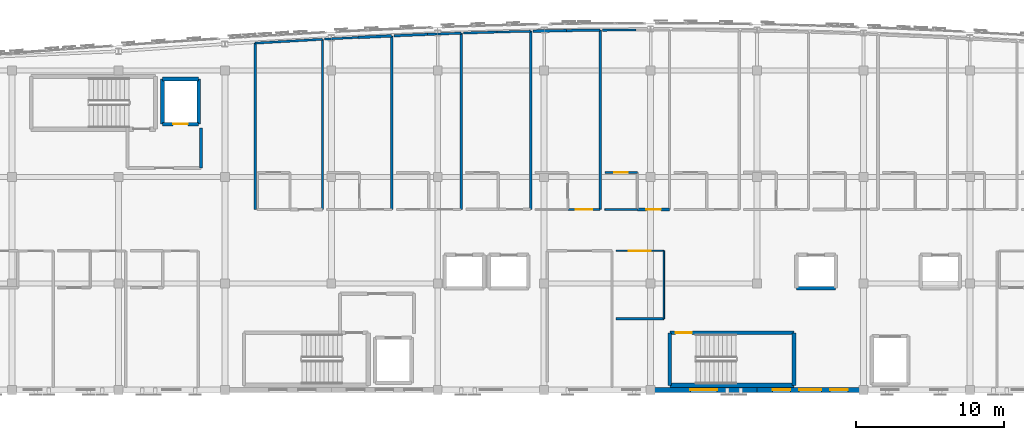
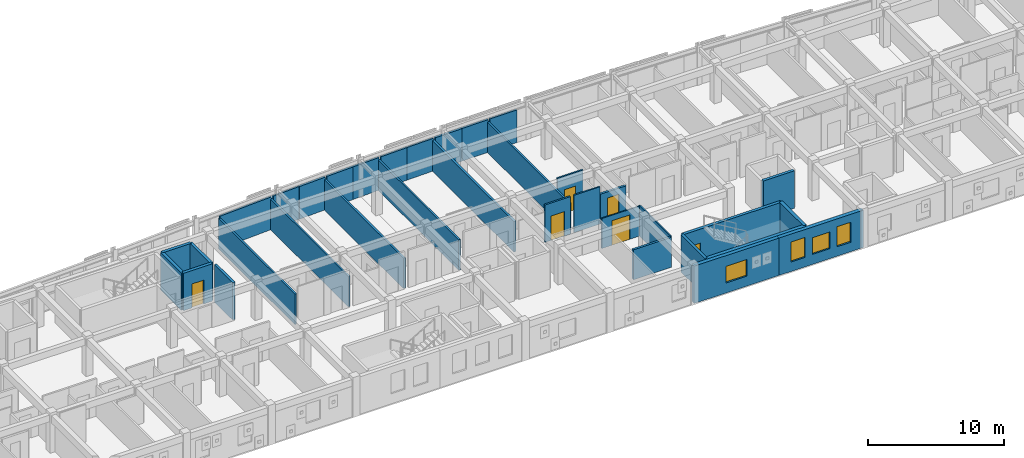
# One storey, part 37 of 45: 35 walls, 6 doors, 4 windows, 10 openings.
"""IFC4 building model written with IfcOpenShell, lengths in metres."""

import ifcopenshell
import ifcopenshell.guid

model = None  # the IFC model being written
_history = None  # IfcOwnerHistory: only IFC2X3 demands one
_inside = {}  # id of a spatial element -> (the spatial element, [elements in it])
_under = {}  # id of a project, library or spatial element -> (it, [spatial elements below it])
_declared = {}  # id of a project -> (the project, [libraries it declares])
_typed = {}  # id of a type object -> (the type object, [elements of that type])
_made_of = {}  # id of a material, layer set ... -> (it, [elements and type objects made of it])


def new_model(schema):
    """Start an empty IFC model of exactly this schema.

    Asked for "IFC4X3", IfcOpenShell would pick the latest addendum, in which some entities
    have other attributes; the version numbers below select the first issue.
    IFC2X3 requires an IfcOwnerHistory on every rooted entity: one is made here for all.
    """
    global model, _history
    if schema == "IFC4X3":
        model = ifcopenshell.file(schema_version=(4, 3, 0, 0))
    else:
        model = ifcopenshell.file(schema=schema)
    _inside.clear()
    _under.clear()
    _declared.clear()
    _typed.clear()
    _made_of.clear()
    _history = None
    if model.schema == "IFC2X3":
        org = make("IfcOrganization", Name="unknown")
        user = make(
            "IfcPersonAndOrganization",
            ThePerson=make("IfcPerson", FamilyName="unknown"),
            TheOrganization=org,
        )
        app = make(
            "IfcApplication",
            ApplicationDeveloper=org,
            Version="unknown",
            ApplicationFullName="unknown",
            ApplicationIdentifier="unknown",
        )
        _history = make(
            "IfcOwnerHistory",
            OwningUser=user,
            OwningApplication=app,
            ChangeAction="ADDED",
            CreationDate=0,
        )
    return model


def make(cls, **values):
    """One entity of the class cls with the attributes given. An attribute that is None is left unset."""
    return model.create_entity(
        cls, **{name: value for name, value in values.items() if value is not None}
    )


def rooted(cls, **values):
    """An entity with a GlobalId (a new one), such as an element, a storey or a relation."""
    return make(cls, GlobalId=ifcopenshell.guid.new(), OwnerHistory=_history, **values)


def si_unit(unit_type, name, prefix=None):
    """IfcSIUnit, for example si_unit("LENGTHUNIT", "METRE", prefix="MILLI")."""
    return make("IfcSIUnit", UnitType=unit_type, Prefix=prefix, Name=name)


def assignment(units):
    """IfcUnitAssignment: the units of a project."""
    return None if units is None else make("IfcUnitAssignment", Units=units)


def point(xyz):
    """IfcCartesianPoint."""
    return None if xyz is None else make("IfcCartesianPoint", Coordinates=xyz)


def direction(xyz):
    """IfcDirection."""
    return None if xyz is None else make("IfcDirection", DirectionRatios=xyz)


def frame(location, z_axis=None, x_axis=None):
    """IfcAxis2Placement3D, a coordinate frame: its origin and axes. An axis left out is left unset."""
    return make(
        "IfcAxis2Placement3D",
        Location=point(location),
        Axis=direction(z_axis),
        RefDirection=direction(x_axis),
    )


def frame_2d(location, x_axis=None):
    """IfcAxis2Placement2D, a coordinate frame in the plane: its origin and x axis."""
    return make(
        "IfcAxis2Placement2D", Location=point(location), RefDirection=direction(x_axis)
    )


def origin():
    """The frame at (0, 0, 0) with its axes left unset."""
    return frame((0.0, 0.0, 0.0))


def place(relative_to, where):
    """IfcLocalPlacement: puts the frame where relative to a parent placement (None: the world)."""
    return make(
        "IfcLocalPlacement", PlacementRelTo=relative_to, RelativePlacement=where
    )


def context(
    kind, dimensions, precision=None, world=None, true_north=None, identifier=None
):
    """IfcGeometricRepresentationContext, for example the 3D "Model" context."""
    return make(
        "IfcGeometricRepresentationContext",
        ContextIdentifier=identifier,
        ContextType=kind,
        CoordinateSpaceDimension=dimensions,
        Precision=precision,
        WorldCoordinateSystem=world,
        TrueNorth=true_north,
    )


def subcontext(parent, identifier, kind, view, scale=None):
    """IfcGeometricRepresentationSubContext, for example "Body" below "Model"."""
    return make(
        "IfcGeometricRepresentationSubContext",
        ContextIdentifier=identifier,
        ContextType=kind,
        ParentContext=parent,
        TargetScale=scale,
        TargetView=view,
    )


def project(units=None, contexts=None):
    """IfcProject with its units and contexts."""
    return rooted(
        "IfcProject",
        Name="project",
        RepresentationContexts=contexts,
        UnitsInContext=assignment(units),
    )


def spatial(cls, under=None, at=None, **own):
    """A site, building, storey or space (cls), placed at a placement, below another one or the project."""
    s = rooted(cls, ObjectPlacement=at, **own)
    if under is not None:
        _under.setdefault(under.id(), (under, []))[1].append(s)
    return s


def profile(cls, at=None, kind="AREA", **sizes):
    """A parametric profile (cls). Its sizes go by their IFC names, for example OverallWidth=200.0."""
    return make(cls, ProfileType=kind, Position=at, **sizes)


def rectangle(**sizes):
    """IfcRectangleProfileDef."""
    return profile("IfcRectangleProfileDef", **sizes)


def extrude(swept, where, along, depth):
    """IfcExtrudedAreaSolid: the profile swept, set in the frame where, extruded along a direction by depth."""
    return make(
        "IfcExtrudedAreaSolid",
        SweptArea=swept,
        Position=where,
        ExtrudedDirection=direction(along),
        Depth=depth,
    )


def shape(context_of_items, identifier, shape_type, items):
    """IfcShapeRepresentation: the items that make up one representation, for example the "Body"."""
    return make(
        "IfcShapeRepresentation",
        ContextOfItems=context_of_items,
        RepresentationIdentifier=identifier,
        RepresentationType=shape_type,
        Items=items,
    )


def material(Name=None, Category=None):
    """IfcMaterial."""
    return make("IfcMaterial", Name=Name, Category=Category)


def layer(
    of_material, thickness, ventilated=None, Name=None, Category=None, Priority=None
):
    """IfcMaterialLayer: one layer of a wall or slab, of a material (None: an air gap)."""
    return make(
        "IfcMaterialLayer",
        Material=of_material,
        LayerThickness=thickness,
        IsVentilated=ventilated,
        Name=Name,
        Category=Category,
        Priority=Priority,
    )


def layer_set(layers, Name=None):
    """IfcMaterialLayerSet."""
    return make("IfcMaterialLayerSet", MaterialLayers=layers, LayerSetName=Name)


def made_of(thing, what):
    """Note that an element or type object is made of a material, layer set ...; save() writes the relation."""
    if what is not None:
        _made_of.setdefault(what.id(), (what, []))[1].append(thing)
    return thing


def type_object(cls, material=None, **own):
    """A type object (cls), such as IfcWallType, which elements share."""
    return made_of(rooted(cls, **own), material)


def element(
    cls,
    number,
    at=None,
    inside=None,
    cuts=None,
    type_object=None,
    material=None,
    context=None,
    identifier="Body",
    shape_type=None,
    held_by="IfcProductDefinitionShape",
    body=None,
    shapes=None,
    **own,
):
    """One element of the class cls, such as IfcWall. Its Tag is "e" and its number.

    at: its placement. inside: the storey or other place that contains it. cuts: it is an
    opening in that element (IfcRelVoidsElement). A single representation is given by context,
    identifier, shape_type and body (its items); several are given by shapes. held_by: the class
    of the entity that holds the representations. save() writes the other relations.
    """
    e = rooted(cls, Tag="e%d" % number, ObjectPlacement=at, **own)
    if body is not None:
        shapes = [shape(context, identifier, shape_type, body)]
    if shapes is not None:
        e.Representation = make(held_by, Representations=shapes)
    if inside is not None:
        _inside.setdefault(inside.id(), (inside, []))[1].append(e)
    if cuts is not None:
        rooted(
            "IfcRelVoidsElement", RelatingBuildingElement=cuts, RelatedOpeningElement=e
        )
    if type_object is not None:
        _typed.setdefault(type_object.id(), (type_object, []))[1].append(e)
    return made_of(e, material)


def fill(opening, filler):
    """IfcRelFillsElement: the door or window that sits in an opening."""
    return rooted(
        "IfcRelFillsElement",
        RelatingOpeningElement=opening,
        RelatedBuildingElement=filler,
    )


def aggregate(whole, parts):
    """IfcRelAggregates: a whole, such as a stair, and the parts it consists of."""
    return rooted("IfcRelAggregates", RelatingObject=whole, RelatedObjects=parts)


def save(model, path):
    """Write the relations noted so far, then the file.

    IfcRelAggregates (storeys below a building ...), IfcRelContainedInSpatialStructure (elements
    in a storey), IfcRelDefinesByType, IfcRelAssociatesMaterial and IfcRelDeclares: one each for
    every whole, place, type object, material and project.
    """
    for whole, parts in _under.values():
        aggregate(whole, parts)
    for where, things in _inside.values():
        rooted(
            "IfcRelContainedInSpatialStructure",
            RelatedElements=things,
            RelatingStructure=where,
        )
    for kind, things in _typed.values():
        rooted("IfcRelDefinesByType", RelatedObjects=things, RelatingType=kind)
    for what, things in _made_of.values():
        rooted("IfcRelAssociatesMaterial", RelatedObjects=things, RelatingMaterial=what)
    for by, libraries in _declared.values():
        rooted("IfcRelDeclares", RelatingContext=by, RelatedDefinitions=libraries)
    model.write(path)


model = new_model("IFC4")

# Units and contexts
model_context = context("Model", 3, precision=1e-05, world=origin(), true_north=direction((0.0, 1.0)))
body_context = subcontext(model_context, "Body", "Model", "MODEL_VIEW")
ifc_project = project(units=[si_unit("LENGTHUNIT", "METRE"), si_unit("AREAUNIT", "SQUARE_METRE"), si_unit("VOLUMEUNIT", "CUBIC_METRE"), si_unit("PLANEANGLEUNIT", "RADIAN"), si_unit("MASSUNIT", "GRAM", prefix="KILO")], contexts=[model_context])

# Site, building, storey
site_placement = place(None, origin())
site = spatial("IfcSite", under=ifc_project, at=site_placement, CompositionType="ELEMENT")
building_placement = place(site_placement, origin())
building = spatial("IfcBuilding", under=site, at=building_placement, Name="Carrowvane Square Congress Hotel", CompositionType="ELEMENT")
storey_placement = place(building_placement, frame((0.0, 0.0, 33.60009765625)))
storey = spatial("IfcBuildingStorey", under=building, at=storey_placement, Name="L08", CompositionType="ELEMENT", Elevation=33.60009765625)

# Wall, openings, windows
ifc_material_1 = material(Name="Glazed terracotta rainscreen", Category="masonry")
ifc_layer_1 = layer(ifc_material_1, 0.330078125)
ifc_layer_set_1 = layer_set([ifc_layer_1], Name="Glazed terracotta rainscreen")
wall_type_1 = type_object("IfcWallType", Name="WL-EXT-TC330", PredefinedType="STANDARD", material=ifc_layer_set_1)
wall_1_placement = place(storey_placement, frame((112.39990234375, 91.800048828125, 0.0), z_axis=(0.0, 0.0, 1.0), x_axis=(-1.0, 0.0, 0.0)))
wall_1 = element("IfcWall", 1, at=wall_1_placement, inside=storey, type_object=wall_type_1, Name="L08 exterior facade wall 546", PredefinedType="STANDARD", context=body_context, shape_type="SweptSolid", body=[
    extrude(rectangle(XDim=7.199951171875, YDim=0.330078125, at=frame_2d((3.60009765625, 0.0))), origin(), (0.0, 0.0, 1.0), 3.35986328125),
])
opening_1_placement = place(wall_1_placement, frame((2.85009765625, 0.0, 0.89990234375)))
opening_1 = element("IfcOpeningElement", 2, at=opening_1_placement, cuts=wall_1, Name="Opening W-15", PredefinedType="OPENING", context=body_context, shape_type="SweptSolid", body=[
    extrude(rectangle(XDim=1.5, YDim=1.5, at=frame_2d((0.75, 0.75))), frame((0.0, 0.175048828125, 0.0), z_axis=(0.0, -1.0, 0.0), x_axis=(1.0, 0.0, 0.0)), (0.0, 0.0, 1.0), 0.35009765625),
])
opening_2_placement = place(wall_1_placement, frame((1.050048828125, 0.0, 0.85009765625)))
opening_2 = element("IfcOpeningElement", 3, at=opening_2_placement, cuts=wall_1, Name="Opening W-01", PredefinedType="OPENING", context=body_context, shape_type="SweptSolid", body=[
    extrude(rectangle(XDim=1.199951171875, YDim=1.800048828125, at=frame_2d((0.60009765625, 0.89990234375))), frame((0.0, 0.175048828125, 0.0), z_axis=(0.0, -1.0, 0.0), x_axis=(1.0, 0.0, 0.0)), (0.0, 0.0, 1.0), 0.35009765625),
])
opening_3_placement = place(wall_1_placement, frame((4.949951171875, 0.0, 0.85009765625)))
opening_3 = element("IfcOpeningElement", 4, at=opening_3_placement, cuts=wall_1, Name="Opening W-01", PredefinedType="OPENING", context=body_context, shape_type="SweptSolid", body=[
    extrude(rectangle(XDim=1.199951171875, YDim=1.800048828125, at=frame_2d((0.60009765625, 0.89990234375))), frame((0.0, 0.175048828125, 0.0), z_axis=(0.0, -1.0, 0.0), x_axis=(1.0, 0.0, 0.0)), (0.0, 0.0, 1.0), 0.35009765625),
])
ifc_material_2 = material(Name="Double-glazed low-E glass", Category="glass")
window_type_1 = type_object("IfcWindowType", Name="WIN-01", PartitioningType="SINGLE_PANEL", PredefinedType="WINDOW", material=ifc_material_2)
window_1_placement = place(opening_2_placement, origin())
window_1 = element("IfcWindow", 5, at=window_1_placement, inside=storey, type_object=window_type_1, Name="L08 guest bedroom window 388", OverallHeight=1.800048828125, OverallWidth=1.199951171875, PartitioningType="SINGLE_PANEL", PredefinedType="WINDOW", context=body_context, shape_type="SweptSolid", body=[
    extrude(rectangle(XDim=1.199951171875, YDim=1.800048828125, at=frame_2d((0.60009765625, 0.89990234375))), frame((0.0, 0.030029296875, 0.0), z_axis=(0.0, -1.0, 0.0), x_axis=(1.0, 0.0, 0.0)), (0.0, 0.0, 1.0), 0.06005859375),
])
fill(opening_2, window_1)
window_2_placement = place(opening_3_placement, origin())
window_2 = element("IfcWindow", 6, at=window_2_placement, inside=storey, type_object=window_type_1, Name="L08 guest bedroom window 389", OverallHeight=1.800048828125, OverallWidth=1.199951171875, PartitioningType="SINGLE_PANEL", PredefinedType="WINDOW", context=body_context, shape_type="SweptSolid", body=[
    extrude(rectangle(XDim=1.199951171875, YDim=1.800048828125, at=frame_2d((0.60009765625, 0.89990234375))), frame((0.0, 0.030029296875, 0.0), z_axis=(0.0, -1.0, 0.0), x_axis=(1.0, 0.0, 0.0)), (0.0, 0.0, 1.0), 0.06005859375),
])
fill(opening_3, window_2)
ifc_material_3 = material(Name="Double-glazed low-E glass", Category="glass")
window_type_2 = type_object("IfcWindowType", Name="WIN-15", PartitioningType="SINGLE_PANEL", PredefinedType="WINDOW", material=ifc_material_3)
window_3_placement = place(opening_1_placement, origin())
window_3 = element("IfcWindow", 7, at=window_3_placement, inside=storey, type_object=window_type_2, Name="L08 facade window 387", OverallHeight=1.5, OverallWidth=1.5, PartitioningType="SINGLE_PANEL", PredefinedType="WINDOW", context=body_context, shape_type="SweptSolid", body=[
    extrude(rectangle(XDim=1.5, YDim=1.5, at=frame_2d((0.75, 0.75))), frame((0.0, 0.030029296875, 0.0), z_axis=(0.0, -1.0, 0.0), x_axis=(1.0, 0.0, 0.0)), (0.0, 0.0, 1.0), 0.06005859375),
])
fill(opening_1, window_3)

# Wall, opening, window
wall_2_placement = place(storey_placement, frame((105.199951171875, 91.800048828125, 0.0), z_axis=(0.0, 0.0, 1.0), x_axis=(-1.0, 0.0, 0.0)))
wall_2 = element("IfcWall", 8, at=wall_2_placement, inside=storey, type_object=wall_type_1, Name="L08 exterior facade wall 547", PredefinedType="STANDARD", context=body_context, shape_type="SweptSolid", body=[
    extrude(rectangle(XDim=7.199951171875, YDim=0.330078125, at=frame_2d((3.60009765625, 0.0))), origin(), (0.0, 0.0, 1.0), 3.35986328125),
])
opening_4_placement = place(wall_2_placement, frame((2.699951171875, 0.0, 0.89990234375)))
opening_4 = element("IfcOpeningElement", 9, at=opening_4_placement, cuts=wall_2, Name="Opening W-16", PredefinedType="OPENING", context=body_context, shape_type="SweptSolid", body=[
    extrude(rectangle(XDim=1.800048828125, YDim=1.5, at=frame_2d((0.89990234375, 0.75))), frame((0.0, 0.175048828125, 0.0), z_axis=(0.0, -1.0, 0.0), x_axis=(1.0, 0.0, 0.0)), (0.0, 0.0, 1.0), 0.35009765625),
])
ifc_material_4 = material(Name="Double-glazed low-E glass", Category="glass")
window_type_3 = type_object("IfcWindowType", Name="WIN-16", PartitioningType="SINGLE_PANEL", PredefinedType="WINDOW", material=ifc_material_4)
window_4_placement = place(opening_4_placement, origin())
window_4 = element("IfcWindow", 10, at=window_4_placement, inside=storey, type_object=window_type_3, Name="L08 facade window 390", OverallHeight=1.5, OverallWidth=1.800048828125, PartitioningType="SINGLE_PANEL", PredefinedType="WINDOW", context=body_context, shape_type="SweptSolid", body=[
    extrude(rectangle(XDim=1.800048828125, YDim=1.5, at=frame_2d((0.89990234375, 0.75))), frame((0.0, 0.030029296875, 0.0), z_axis=(0.0, -1.0, 0.0), x_axis=(1.0, 0.0, 0.0)), (0.0, 0.0, 1.0), 0.06005859375),
])
fill(opening_4, window_4)

# Walls
ifc_material_5 = material(Name="Acoustic gypsum board", Category="gypsum")
ifc_layer_2 = layer(ifc_material_5, 0.155029296875)
ifc_layer_set_2 = layer_set([ifc_layer_2], Name="Acoustic gypsum board")
wall_type_2 = type_object("IfcWallType", Name="WL-FIR-155", PredefinedType="PARTITIONING", material=ifc_layer_set_2)
wall_3_placement = place(storey_placement, frame((71.25, 104.0, 0.0), z_axis=(0.0, 0.0, 1.0), x_axis=(0.0, 1.0, 0.0)))
element("IfcWall", 11, at=wall_3_placement, inside=storey, type_object=wall_type_2, Name="L08 Parkview Guest Bedroom 0811 partition", PredefinedType="PARTITIONING", context=body_context, shape_type="SweptSolid", body=[
    extrude(rectangle(XDim=11.25244140625, YDim=0.155029296875, at=frame_2d((5.626220703125, 0.0))), origin(), (0.0, 0.0, 1.0), 2.744873046875),
])
wall_4_placement = place(storey_placement, frame((82.919921875, 115.8466796875, 0.0), z_axis=(0.0, 0.0, 1.0), x_axis=(0.999343819839, 0.036220570799, 0.0)))
element("IfcWall", 12, at=wall_4_placement, inside=storey, type_object=wall_type_2, Name="L08 Parkview Guest Bedroom 0813 partition", PredefinedType="PARTITIONING", context=body_context, shape_type="SweptSolid", body=[
    extrude(rectangle(XDim=2.271484375, YDim=0.155029296875, at=frame_2d((1.1357421875, 0.0))), origin(), (0.0, 0.0, 1.0), 2.935546875),
])
wall_5_placement = place(storey_placement, frame((94.590087890625, 116.13232421875, 0.0), z_axis=(0.0, 0.0, 1.0), x_axis=(0.0, -1.0, 0.0)))
element("IfcWall", 13, at=wall_5_placement, inside=storey, type_object=wall_type_2, Name="L08 Parkview Guest Bedroom 0815 partition", PredefinedType="PARTITIONING", context=body_context, shape_type="SweptSolid", body=[
    extrude(rectangle(XDim=12.13232421875, YDim=0.155029296875, at=frame_2d((6.066162109375, 0.0))), origin(), (0.0, 0.0, 1.0), 2.744873046875),
])
wall_6_placement = place(storey_placement, frame((94.75, 116.1337890625, 0.0), z_axis=(0.0, 0.0, 1.0), x_axis=(0.999983754538, 0.005700057968, 0.0)))
element("IfcWall", 14, at=wall_6_placement, inside=storey, type_object=wall_type_2, Name="L08 Parkview Guest Bedroom 0816 partition", PredefinedType="PARTITIONING", context=body_context, shape_type="SweptSolid", body=[
    extrude(rectangle(XDim=2.27001953125, YDim=0.155029296875, at=frame_2d((1.135009765625, 0.0))), origin(), (0.0, 0.0, 1.0), 2.935546875),
])
ifc_material_6 = material(Name="Acoustic gypsum board", Category="gypsum")
ifc_layer_3 = layer(ifc_material_6, 0.169921875)
ifc_layer_set_3 = layer_set([ifc_layer_3], Name="Acoustic gypsum board")
wall_type_3 = type_object("IfcWallType", Name="WL-FIR-170", PredefinedType="PARTITIONING", material=ifc_layer_set_3)
wall_7_placement = place(storey_placement, frame((80.489990234375, 115.745361328125, 0.0), z_axis=(0.0, 0.0, 1.0), x_axis=(0.0, -1.0, 0.0)))
element("IfcWall", 15, at=wall_7_placement, inside=storey, type_object=wall_type_3, Name="L08 Parkview Guest Bedroom 0812 partition", PredefinedType="PARTITIONING", context=body_context, shape_type="SweptSolid", body=[
    extrude(rectangle(XDim=11.745361328125, YDim=0.169921875, at=frame_2d((5.87255859375, 0.0))), origin(), (0.0, 0.0, 1.0), 2.744873046875),
])
wall_8_placement = place(storey_placement, frame((80.64990234375, 115.752685546875, 0.0), z_axis=(0.0, 0.0, 1.0), x_axis=(0.999143841124, 0.041371303381, 0.0)))
element("IfcWall", 16, at=wall_8_placement, inside=storey, type_object=wall_type_3, Name="L08 Parkview Guest Bedroom 0813 partition", PredefinedType="PARTITIONING", context=body_context, shape_type="SweptSolid", body=[
    extrude(rectangle(XDim=2.27197265625, YDim=0.169921875, at=frame_2d((1.135986328125, 0.0))), origin(), (0.0, 0.0, 1.0), 2.935546875),
])
wall_9_placement = place(storey_placement, frame((92.320068359375, 116.1044921875, 0.0), z_axis=(0.0, 0.0, 1.0), x_axis=(0.999924846076, 0.012259779786, 0.0)))
element("IfcWall", 17, at=wall_9_placement, inside=storey, type_object=wall_type_3, Name="L08 Parkview Guest Bedroom 0815 partition", PredefinedType="PARTITIONING", context=body_context, shape_type="SweptSolid", body=[
    extrude(rectangle(XDim=2.270263671875, YDim=0.169921875, at=frame_2d((1.13525390625, 0.0))), origin(), (0.0, 0.0, 1.0), 2.935546875),
])
ifc_material_7 = material(Name="Acoustic gypsum board", Category="gypsum")
ifc_layer_4 = layer(ifc_material_7, 0.18505859375)
ifc_layer_set_4 = layer_set([ifc_layer_4], Name="Acoustic gypsum board")
wall_type_4 = type_object("IfcWallType", Name="WL-FIR-185", PredefinedType="PARTITIONING", material=ifc_layer_set_4)
wall_10_placement = place(storey_placement, frame((98.89990234375, 96.60009765625, 0.0), z_axis=(0.0, 0.0, 1.0), x_axis=(-1.0, 0.0, 0.0)))
element("IfcWall", 18, at=wall_10_placement, inside=storey, type_object=wall_type_4, Name="L08 L08 Accessible Guest WC partition", PredefinedType="PARTITIONING", context=body_context, shape_type="SweptSolid", body=[
    extrude(rectangle(XDim=3.25, YDim=0.18505859375, at=frame_2d((1.625, 0.0))), origin(), (0.0, 0.0, 1.0), 2.69482421875),
])
wall_11_placement = place(storey_placement, frame((78.219970703125, 115.63916015625, 0.0), z_axis=(0.0, 0.0, 1.0), x_axis=(0.998907409999, 0.04673313867, 0.0)))
element("IfcWall", 19, at=wall_11_placement, inside=storey, type_object=wall_type_4, Name="L08 Parkview Guest Bedroom 0812 partition", PredefinedType="PARTITIONING", context=body_context, shape_type="SweptSolid", body=[
    extrude(rectangle(XDim=2.2724609375, YDim=0.18505859375, at=frame_2d((1.13623046875, 0.0))), origin(), (0.0, 0.0, 1.0), 2.935546875),
])
wall_12_placement = place(storey_placement, frame((89.889892578125, 116.059326171875, 0.0), z_axis=(0.0, 0.0, 1.0), x_axis=(0.0, -1.0, 0.0)))
element("IfcWall", 20, at=wall_12_placement, inside=storey, type_object=wall_type_4, Name="L08 Parkview Guest Bedroom 0814 partition", PredefinedType="PARTITIONING", context=body_context, shape_type="SweptSolid", body=[
    extrude(rectangle(XDim=12.059326171875, YDim=0.18505859375, at=frame_2d((6.02978515625, 0.0))), origin(), (0.0, 0.0, 1.0), 2.744873046875),
])
wall_13_placement = place(storey_placement, frame((90.050048828125, 116.062744140625, 0.0), z_axis=(0.0, 0.0, 1.0), x_axis=(0.999830927494, 0.018387942418, 0.0)))
element("IfcWall", 21, at=wall_13_placement, inside=storey, type_object=wall_type_4, Name="L08 Parkview Guest Bedroom 0815 partition", PredefinedType="PARTITIONING", context=body_context, shape_type="SweptSolid", body=[
    extrude(rectangle(XDim=2.2705078125, YDim=0.18505859375, at=frame_2d((1.13525390625, 0.0))), origin(), (0.0, 0.0, 1.0), 2.935546875),
])

# Wall, opening, door
wall_14_placement = place(storey_placement, frame((99.2900390625, 104.0, 0.0), z_axis=(0.0, 0.0, 1.0), x_axis=(-1.0, 0.0, 0.0)))
wall_14 = element("IfcWall", 22, at=wall_14_placement, inside=storey, type_object=wall_type_4, Name="L08 Parkview Guest Bedroom 0816 partition", PredefinedType="PARTITIONING", context=body_context, shape_type="SweptSolid", body=[
    extrude(rectangle(XDim=2.179931640625, YDim=0.18505859375, at=frame_2d((1.08984375, 0.0))), origin(), (0.0, 0.0, 1.0), 2.69482421875),
])
opening_5_placement = place(wall_14_placement, frame((0.60009765625, 0.0, 0.0)))
opening_5 = element("IfcOpeningElement", 23, at=opening_5_placement, cuts=wall_14, Name="Opening FD-07", PredefinedType="OPENING", context=body_context, shape_type="SweptSolid", body=[
    extrude(rectangle(XDim=0.97998046875, YDim=2.14990234375, at=frame_2d((0.489990234375, 1.074951171875))), frame((0.0, 0.1025390625, 0.0), z_axis=(0.0, -1.0, 0.0), x_axis=(1.0, 0.0, 0.0)), (0.0, 0.0, 1.0), 0.205078125),
])
ifc_material_8 = material(Name="European oak timber", Category="wood")
door_type_1 = type_object("IfcDoorType", Name="DR-FD30-0980x2150", OperationType="NOTDEFINED", PredefinedType="DOOR", material=ifc_material_8)
door_1_placement = place(opening_5_placement, origin())
door_1 = element("IfcDoor", 24, at=door_1_placement, inside=storey, type_object=door_type_1, Name="L08 Parkview Guest Bedroom 0816 entrance door", OperationType="SINGLE_SWING_RIGHT", OverallHeight=2.14990234375, OverallWidth=0.97998046875, PredefinedType="DOOR", context=body_context, shape_type="SweptSolid", body=[
    extrude(rectangle(XDim=0.97998046875, YDim=2.14990234375, at=frame_2d((0.489990234375, 1.074951171875))), frame((0.0, 0.02490234375, 0.0), z_axis=(0.0, -1.0, 0.0), x_axis=(1.0, 0.0, 0.0)), (0.0, 0.0, 1.0), 0.050048828125),
])
fill(opening_5, door_1)

# Walls
ifc_material_9 = material(Name="Acoustic gypsum board", Category="gypsum")
ifc_layer_5 = layer(ifc_material_9, 0.205078125)
ifc_layer_set_5 = layer_set([ifc_layer_5], Name="Acoustic gypsum board")
wall_type_5 = type_object("IfcWallType", Name="WL-FIR-205", PredefinedType="PARTITIONING", material=ifc_layer_set_5)
wall_15_placement = place(storey_placement, frame((67.60009765625, 106.800048828125, 0.0), z_axis=(0.0, 0.0, 1.0), x_axis=(0.0, 1.0, 0.0)))
element("IfcWall", 25, at=wall_15_placement, inside=storey, type_object=wall_type_5, Name="L08 Firefighting Lobby C1 wall east", PredefinedType="PARTITIONING", context=body_context, shape_type="SweptSolid", body=[
    extrude(rectangle(XDim=2.699951171875, YDim=0.205078125, at=frame_2d((1.35009765625, 0.0))), origin(), (0.0, 0.0, 1.0), 3.35986328125),
])
ifc_material_10 = material(Name="Acoustic gypsum board", Category="gypsum")
ifc_layer_6 = layer(ifc_material_10, 0.097900390625)
ifc_layer_set_6 = layer_set([ifc_layer_6], Name="Acoustic gypsum board")
wall_type_6 = type_object("IfcWallType", Name="WL-PRT-098", PredefinedType="PARTITIONING", material=ifc_layer_set_6)
wall_16_placement = place(storey_placement, frame((98.89990234375, 101.199951171875, 0.0), z_axis=(0.0, 0.0, 1.0), x_axis=(0.0, -1.0, 0.0)))
element("IfcWall", 26, at=wall_16_placement, inside=storey, type_object=wall_type_6, Name="L08 L08 Accessible Guest WC partition", PredefinedType="PARTITIONING", context=body_context, shape_type="SweptSolid", body=[
    extrude(rectangle(XDim=4.599853515625, YDim=0.097900390625, at=frame_2d((2.2998046875, 0.0))), origin(), (0.0, 0.0, 1.0), 2.744873046875),
])

# Wall, opening, door
ifc_material_11 = material(Name="Acoustic gypsum board", Category="gypsum")
ifc_layer_7 = layer(ifc_material_11, 0.10791015625)
ifc_layer_set_7 = layer_set([ifc_layer_7], Name="Acoustic gypsum board")
wall_type_7 = type_object("IfcWallType", Name="WL-PRT-108", PredefinedType="PARTITIONING", material=ifc_layer_set_7)
wall_17_placement = place(storey_placement, frame((95.64990234375, 101.199951171875, 0.0), z_axis=(0.0, 0.0, 1.0), x_axis=(1.0, 0.0, 0.0)))
wall_17 = element("IfcWall", 27, at=wall_17_placement, inside=storey, type_object=wall_type_7, Name="L08 L08 Accessible Guest WC partition", PredefinedType="PARTITIONING", context=body_context, shape_type="SweptSolid", body=[
    extrude(rectangle(XDim=3.25, YDim=0.10791015625, at=frame_2d((1.625, 0.0))), origin(), (0.0, 0.0, 1.0), 2.69482421875),
])
opening_6_placement = place(wall_17_placement, frame((0.875, 0.0, 0.0)))
opening_6 = element("IfcOpeningElement", 28, at=opening_6_placement, cuts=wall_17, Name="Opening ID-11", PredefinedType="OPENING", context=body_context, shape_type="SweptSolid", body=[
    extrude(rectangle(XDim=1.5, YDim=2.199951171875, at=frame_2d((0.75, 1.10009765625))), frame((0.0, 0.06396484375, 0.0), z_axis=(0.0, -1.0, 0.0), x_axis=(1.0, 0.0, 0.0)), (0.0, 0.0, 1.0), 0.1279296875),
])
ifc_material_12 = material(Name="European oak timber", Category="wood")
door_type_2 = type_object("IfcDoorType", Name="DR-INT-1500x2200", OperationType="DOUBLE_DOOR_SINGLE_SWING", PredefinedType="DOOR", material=ifc_material_12)
door_2_placement = place(opening_6_placement, origin())
door_2 = element("IfcDoor", 29, at=door_2_placement, inside=storey, type_object=door_type_2, Name="L08 L08 Accessible Guest WC entrance door", OperationType="DOUBLE_DOOR_SINGLE_SWING", OverallHeight=2.199951171875, OverallWidth=1.5, PredefinedType="DOOR", context=body_context, shape_type="SweptSolid", body=[
    extrude(rectangle(XDim=1.5, YDim=2.199951171875, at=frame_2d((0.75, 1.10009765625))), frame((0.0, 0.02490234375, 0.0), z_axis=(0.0, -1.0, 0.0), x_axis=(1.0, 0.0, 0.0)), (0.0, 0.0, 1.0), 0.050048828125),
])
fill(opening_6, door_2)

# Walls
ifc_material_13 = material(Name="Acoustic gypsum board", Category="gypsum")
ifc_layer_8 = layer(ifc_material_13, 0.117919921875)
ifc_layer_set_8 = layer_set([ifc_layer_8], Name="Acoustic gypsum board")
wall_type_8 = type_object("IfcWallType", Name="WL-PRT-118", PredefinedType="PARTITIONING", material=ifc_layer_set_8)
wall_18_placement = place(storey_placement, frame((97.10009765625, 104.0, 0.0), z_axis=(0.0, 0.0, 1.0), x_axis=(-1.0, 0.0, 0.0)))
element("IfcWall", 30, at=wall_18_placement, inside=storey, type_object=wall_type_8, Name="L08 En-suite Bathroom 0816 partition", PredefinedType="PARTITIONING", context=body_context, shape_type="SweptSolid", body=[
    extrude(rectangle(XDim=2.2001953125, YDim=0.117919921875, at=frame_2d((1.10009765625, 0.0))), origin(), (0.0, 0.0, 1.0), 3.35986328125),
])
ifc_material_14 = material(Name="Acoustic gypsum board", Category="gypsum")
ifc_layer_9 = layer(ifc_material_14, 0.137939453125)
ifc_layer_set_9 = layer_set([ifc_layer_9], Name="Acoustic gypsum board")
wall_type_9 = type_object("IfcWallType", Name="WL-PRT-138", PredefinedType="PARTITIONING", material=ifc_layer_set_9)
wall_19_placement = place(storey_placement, frame((75.7900390625, 115.51416015625, 0.0), z_axis=(0.0, 0.0, 1.0), x_axis=(0.0, -1.0, 0.0)))
element("IfcWall", 31, at=wall_19_placement, inside=storey, type_object=wall_type_9, Name="L08 Parkview Guest Bedroom 0811 partition", PredefinedType="PARTITIONING", context=body_context, shape_type="SweptSolid", body=[
    extrude(rectangle(XDim=11.51416015625, YDim=0.137939453125, at=frame_2d((5.757080078125, 0.0))), origin(), (0.0, 0.0, 1.0), 2.744873046875),
])
wall_20_placement = place(storey_placement, frame((75.949951171875, 115.52294921875, 0.0), z_axis=(0.0, 0.0, 1.0), x_axis=(0.99869216728, 0.051126852186, 0.0)))
element("IfcWall", 32, at=wall_20_placement, inside=storey, type_object=wall_type_9, Name="L08 Parkview Guest Bedroom 0812 partition", PredefinedType="PARTITIONING", context=body_context, shape_type="SweptSolid", body=[
    extrude(rectangle(XDim=2.27294921875, YDim=0.137939453125, at=frame_2d((1.136474609375, 0.0))), origin(), (0.0, 0.0, 1.0), 2.935546875),
])
wall_21_placement = place(storey_placement, frame((87.6201171875, 116.00341796875, 0.0), z_axis=(0.0, 0.0, 1.0), x_axis=(0.999696780071, 0.024624132799, 0.0)))
element("IfcWall", 33, at=wall_21_placement, inside=storey, type_object=wall_type_9, Name="L08 Parkview Guest Bedroom 0814 partition", PredefinedType="PARTITIONING", context=body_context, shape_type="SweptSolid", body=[
    extrude(rectangle(XDim=2.2705078125, YDim=0.137939453125, at=frame_2d((1.13525390625, 0.0))), origin(), (0.0, 0.0, 1.0), 2.935546875),
])

# Wall, opening, door
wall_22_placement = place(storey_placement, frame((94.89990234375, 106.5, 0.0), z_axis=(0.0, 0.0, 1.0), x_axis=(1.0, 0.0, 0.0)))
wall_22 = element("IfcWall", 34, at=wall_22_placement, inside=storey, type_object=wall_type_9, Name="L08 En-suite Bathroom 0816 partition", PredefinedType="PARTITIONING", context=body_context, shape_type="SweptSolid", body=[
    extrude(rectangle(XDim=2.2001953125, YDim=0.137939453125, at=frame_2d((1.10009765625, 0.0))), origin(), (0.0, 0.0, 1.0), 3.35986328125),
])
opening_7_placement = place(wall_22_placement, frame((0.635009765625, 0.0, 0.0)))
opening_7 = element("IfcOpeningElement", 35, at=opening_7_placement, cuts=wall_22, Name="Opening ID-18", PredefinedType="OPENING", context=body_context, shape_type="SweptSolid", body=[
    extrude(rectangle(XDim=0.929931640625, YDim=2.1298828125, at=frame_2d((0.46484375, 1.06494140625))), frame((0.0, 0.078857421875, 0.0), z_axis=(0.0, -1.0, 0.0), x_axis=(1.0, 0.0, 0.0)), (0.0, 0.0, 1.0), 0.157958984375),
])
ifc_material_15 = material(Name="European oak timber", Category="wood")
door_type_3 = type_object("IfcDoorType", Name="DR-INT-0930x2130", OperationType="NOTDEFINED", PredefinedType="DOOR", material=ifc_material_15)
door_3_placement = place(opening_7_placement, origin())
door_3 = element("IfcDoor", 36, at=door_3_placement, inside=storey, type_object=door_type_3, Name="L08 En-suite Bathroom 0816 door", OperationType="SINGLE_SWING_LEFT", OverallHeight=2.1298828125, OverallWidth=0.929931640625, PredefinedType="DOOR", context=body_context, shape_type="SweptSolid", body=[
    extrude(rectangle(XDim=0.929931640625, YDim=2.1298828125, at=frame_2d((0.46484375, 1.06494140625))), frame((0.0, 0.02490234375, 0.0), z_axis=(0.0, -1.0, 0.0), x_axis=(1.0, 0.0, 0.0)), (0.0, 0.0, 1.0), 0.050048828125),
])
fill(opening_7, door_3)

# Walls
ifc_material_16 = material(Name="Acoustic gypsum board", Category="gypsum")
ifc_layer_10 = layer(ifc_material_16, 0.14794921875)
ifc_layer_set_10 = layer_set([ifc_layer_10], Name="Acoustic gypsum board")
wall_type_10 = type_object("IfcWallType", Name="WL-PRT-148", PredefinedType="PARTITIONING", material=ifc_layer_set_10)
wall_23_placement = place(storey_placement, frame((71.25, 115.25244140625, 0.0), z_axis=(0.0, 0.0, 1.0), x_axis=(0.998342552715, 0.057551259223, 0.0)))
element("IfcWall", 37, at=wall_23_placement, inside=storey, type_object=wall_type_10, Name="L08 Parkview Guest Bedroom 0811 partition", PredefinedType="PARTITIONING", context=body_context, shape_type="SweptSolid", body=[
    extrude(rectangle(XDim=4.547607421875, YDim=0.14794921875, at=frame_2d((2.27392578125, 0.0))), origin(), (0.0, 0.0, 1.0), 2.935546875),
])
wall_24_placement = place(storey_placement, frame((85.18994140625, 115.928955078125, 0.0), z_axis=(0.0, 0.0, 1.0), x_axis=(0.0, -1.0, 0.0)))
element("IfcWall", 38, at=wall_24_placement, inside=storey, type_object=wall_type_10, Name="L08 Parkview Guest Bedroom 0813 partition", PredefinedType="PARTITIONING", context=body_context, shape_type="SweptSolid", body=[
    extrude(rectangle(XDim=11.928955078125, YDim=0.14794921875, at=frame_2d((5.96435546875, 0.0))), origin(), (0.0, 0.0, 1.0), 2.744873046875),
])
wall_25_placement = place(storey_placement, frame((85.35009765625, 115.9345703125, 0.0), z_axis=(0.0, 0.0, 1.0), x_axis=(0.999540389811, 0.030315163468, 0.0)))
element("IfcWall", 39, at=wall_25_placement, inside=storey, type_object=wall_type_10, Name="L08 Parkview Guest Bedroom 0814 partition", PredefinedType="PARTITIONING", context=body_context, shape_type="SweptSolid", body=[
    extrude(rectangle(XDim=2.27099609375, YDim=0.14794921875, at=frame_2d((1.135498046875, 0.0))), origin(), (0.0, 0.0, 1.0), 2.935546875),
])

# Wall, opening, door
wall_26_placement = place(storey_placement, frame((94.590087890625, 104.0, 0.0), z_axis=(0.0, 0.0, 1.0), x_axis=(-1.0, 0.0, 0.0)))
wall_26 = element("IfcWall", 40, at=wall_26_placement, inside=storey, type_object=wall_type_10, Name="L08 Parkview Guest Bedroom 0815 partition", PredefinedType="PARTITIONING", context=body_context, shape_type="SweptSolid", body=[
    extrude(rectangle(XDim=2.18017578125, YDim=0.14794921875, at=frame_2d((1.090087890625, 0.0))), origin(), (0.0, 0.0, 1.0), 3.35986328125),
])
opening_8_placement = place(wall_26_placement, frame((0.530029296875, 0.0, 0.0)))
opening_8 = element("IfcOpeningElement", 41, at=opening_8_placement, cuts=wall_26, Name="Opening FD-10", PredefinedType="OPENING", context=body_context, shape_type="SweptSolid", body=[
    extrude(rectangle(XDim=1.1201171875, YDim=2.199951171875, at=frame_2d((0.56005859375, 1.10009765625))), frame((0.0, 0.083984375, 0.0), z_axis=(0.0, -1.0, 0.0), x_axis=(1.0, 0.0, 0.0)), (0.0, 0.0, 1.0), 0.16796875),
])
ifc_material_17 = material(Name="European oak timber", Category="wood")
door_type_4 = type_object("IfcDoorType", Name="DR-FD30-1120x2200", OperationType="NOTDEFINED", PredefinedType="DOOR", material=ifc_material_17)
door_4_placement = place(opening_8_placement, origin())
door_4 = element("IfcDoor", 42, at=door_4_placement, inside=storey, type_object=door_type_4, Name="L08 Parkview Guest Bedroom 0815 entrance door", OperationType="SINGLE_SWING_RIGHT", OverallHeight=2.199951171875, OverallWidth=1.1201171875, PredefinedType="DOOR", context=body_context, shape_type="SweptSolid", body=[
    extrude(rectangle(XDim=1.1201171875, YDim=2.199951171875, at=frame_2d((0.56005859375, 1.10009765625))), frame((0.0, 0.02490234375, 0.0), z_axis=(0.0, -1.0, 0.0), x_axis=(1.0, 0.0, 0.0)), (0.0, 0.0, 1.0), 0.050048828125),
])
fill(opening_8, door_4)

# Wall
ifc_material_18 = material(Name="Concrete C40/50", Category="concrete")
ifc_layer_11 = layer(ifc_material_18, 0.22509765625)
ifc_layer_set_11 = layer_set([ifc_layer_11], Name="Concrete C40/50")
wall_type_11 = type_object("IfcWallType", Name="WL-SHR-225", PredefinedType="SHEAR", material=ifc_layer_set_11)
wall_27_placement = place(storey_placement, frame((99.300048828125, 95.659912109375, 0.0), z_axis=(0.0, 0.0, 1.0), x_axis=(0.0, -1.0, 0.0)))
element("IfcWall", 43, at=wall_27_placement, inside=storey, type_object=wall_type_11, Name="L08 ST3 core wall west", PredefinedType="SHEAR", context=body_context, shape_type="SweptSolid", body=[
    extrude(rectangle(XDim=3.559814453125, YDim=0.22509765625, at=frame_2d((1.77978515625, 0.0))), origin(), (0.0, 0.0, 1.0), 3.35986328125),
])

# Wall, opening, door
ifc_material_19 = material(Name="Concrete C40/50", Category="concrete")
ifc_layer_12 = layer(ifc_material_19, 0.25)
ifc_layer_set_12 = layer_set([ifc_layer_12], Name="Concrete C40/50")
wall_type_12 = type_object("IfcWallType", Name="WL-SHR-250", PredefinedType="SHEAR", material=ifc_layer_set_12)
wall_28_placement = place(storey_placement, frame((107.699951171875, 95.659912109375, 0.0), z_axis=(0.0, 0.0, 1.0), x_axis=(-1.0, 0.0, 0.0)))
wall_28 = element("IfcWall", 44, at=wall_28_placement, inside=storey, type_object=wall_type_12, Name="L08 ST3 core wall north", PredefinedType="SHEAR", context=body_context, shape_type="SweptSolid", body=[
    extrude(rectangle(XDim=8.39990234375, YDim=0.25, at=frame_2d((4.199951171875, 0.0))), origin(), (0.0, 0.0, 1.0), 3.35986328125),
])
opening_9_placement = place(wall_28_placement, frame((6.909912109375, 0.0, 0.0)))
opening_9 = element("IfcOpeningElement", 45, at=opening_9_placement, cuts=wall_28, Name="Opening FD-01", PredefinedType="OPENING", context=body_context, shape_type="SweptSolid", body=[
    extrude(rectangle(XDim=1.10009765625, YDim=2.10009765625, at=frame_2d((0.550048828125, 1.050048828125))), frame((0.0, 0.135009765625, 0.0), z_axis=(0.0, -1.0, 0.0), x_axis=(1.0, 0.0, 0.0)), (0.0, 0.0, 1.0), 0.27001953125),
])
ifc_material_20 = material(Name="European oak timber", Category="wood")
door_type_5 = type_object("IfcDoorType", Name="DR-FD60-1100x2100", OperationType="NOTDEFINED", PredefinedType="DOOR", material=ifc_material_20)
door_5_placement = place(opening_9_placement, origin())
door_5 = element("IfcDoor", 46, at=door_5_placement, inside=storey, type_object=door_type_5, Name="L08 ST3 fire door", OperationType="SINGLE_SWING_RIGHT", OverallHeight=2.10009765625, OverallWidth=1.10009765625, PredefinedType="DOOR", context=body_context, shape_type="SweptSolid", body=[
    extrude(rectangle(XDim=1.10009765625, YDim=2.10009765625, at=frame_2d((0.550048828125, 1.050048828125))), frame((0.0, 0.02490234375, 0.0), z_axis=(0.0, -1.0, 0.0), x_axis=(1.0, 0.0, 0.0)), (0.0, 0.0, 1.0), 0.050048828125),
])
fill(opening_9, door_5)

wall_29_placement = place(storey_placement, frame((64.97509765625, 109.77490234375, 0.0), z_axis=(0.0, 0.0, 1.0), x_axis=(1.0, 0.0, 0.0)))
wall_29 = element("IfcWall", 47, at=wall_29_placement, inside=storey, type_object=wall_type_12, Name="L08 FFL-1 shaft wall south", PredefinedType="SHEAR", context=body_context, shape_type="SweptSolid", body=[
    extrude(rectangle(XDim=2.449951171875, YDim=0.25, at=frame_2d((1.22509765625, 0.0))), origin(), (0.0, 0.0, 1.0), 3.35986328125),
])
opening_10_placement = place(wall_29_placement, frame((0.72509765625, 0.0, 0.0)))
opening_10 = element("IfcOpeningElement", 48, at=opening_10_placement, cuts=wall_29, Name="Opening LD-FFL-1", PredefinedType="OPENING", context=body_context, shape_type="SweptSolid", body=[
    extrude(rectangle(XDim=1.0, YDim=2.14990234375, at=frame_2d((0.5, 1.074951171875))), frame((0.0, 0.135009765625, 0.0), z_axis=(0.0, -1.0, 0.0), x_axis=(1.0, 0.0, 0.0)), (0.0, 0.0, 1.0), 0.27001953125),
])
ifc_material_21 = material(Name="Stainless steel 316", Category="steel")
door_type_6 = type_object("IfcDoorType", Name="DR-LD-1000x2150", OperationType="DOUBLE_DOOR_SLIDING", PredefinedType="DOOR", material=ifc_material_21)
door_6_placement = place(opening_10_placement, origin())
door_6 = element("IfcDoor", 49, at=door_6_placement, inside=storey, type_object=door_type_6, Name="L08 FFL-1 sliding lift landing door", OperationType="DOUBLE_DOOR_SLIDING", OverallHeight=2.14990234375, OverallWidth=1.0, PredefinedType="DOOR", context=body_context, shape_type="SweptSolid", body=[
    extrude(rectangle(XDim=1.0, YDim=2.14990234375, at=frame_2d((0.5, 1.074951171875))), frame((0.0, 0.02490234375, 0.0), z_axis=(0.0, -1.0, 0.0), x_axis=(1.0, 0.0, 0.0)), (0.0, 0.0, 1.0), 0.050048828125),
])
fill(opening_10, door_6)

# Walls
wall_30_placement = place(storey_placement, frame((67.425048828125, 109.77490234375, 0.0), z_axis=(0.0, 0.0, 1.0), x_axis=(0.0, 1.0, 0.0)))
element("IfcWall", 50, at=wall_30_placement, inside=storey, type_object=wall_type_12, Name="L08 FFL-1 shaft wall east", PredefinedType="SHEAR", context=body_context, shape_type="SweptSolid", body=[
    extrude(rectangle(XDim=3.050048828125, YDim=0.25, at=frame_2d((1.52490234375, 0.0))), origin(), (0.0, 0.0, 1.0), 3.35986328125),
])
wall_31_placement = place(storey_placement, frame((67.425048828125, 112.824951171875, 0.0), z_axis=(0.0, 0.0, 1.0), x_axis=(-1.0, 0.0, 0.0)))
element("IfcWall", 51, at=wall_31_placement, inside=storey, type_object=wall_type_12, Name="L08 FFL-1 shaft wall north", PredefinedType="SHEAR", context=body_context, shape_type="SweptSolid", body=[
    extrude(rectangle(XDim=2.449951171875, YDim=0.25, at=frame_2d((1.22509765625, 0.0))), origin(), (0.0, 0.0, 1.0), 3.35986328125),
])
wall_32_placement = place(storey_placement, frame((64.97509765625, 112.824951171875, 0.0), z_axis=(0.0, 0.0, 1.0), x_axis=(0.0, -1.0, 0.0)))
element("IfcWall", 52, at=wall_32_placement, inside=storey, type_object=wall_type_12, Name="L08 FFL-1 shaft wall west", PredefinedType="SHEAR", context=body_context, shape_type="SweptSolid", body=[
    extrude(rectangle(XDim=3.050048828125, YDim=0.25, at=frame_2d((1.52490234375, 0.0))), origin(), (0.0, 0.0, 1.0), 3.35986328125),
])
wall_33_placement = place(storey_placement, frame((107.875, 98.675048828125, 0.0), z_axis=(0.0, 0.0, 1.0), x_axis=(1.0, 0.0, 0.0)))
element("IfcWall", 53, at=wall_33_placement, inside=storey, type_object=wall_type_12, Name="L08 HL-3 shaft wall south", PredefinedType="SHEAR", context=body_context, shape_type="SweptSolid", body=[
    extrude(rectangle(XDim=2.64990234375, YDim=0.25, at=frame_2d((1.324951171875, 0.0))), origin(), (0.0, 0.0, 1.0), 3.35986328125),
])
ifc_material_22 = material(Name="Concrete C40/50", Category="concrete")
ifc_layer_13 = layer(ifc_material_22, 0.27490234375)
ifc_layer_set_13 = layer_set([ifc_layer_13], Name="Concrete C40/50")
wall_type_13 = type_object("IfcWallType", Name="WL-SHR-275", PredefinedType="SHEAR", material=ifc_layer_set_13)
wall_34_placement = place(storey_placement, frame((107.699951171875, 92.10009765625, 0.0), z_axis=(0.0, 0.0, 1.0), x_axis=(0.0, 1.0, 0.0)))
element("IfcWall", 54, at=wall_34_placement, inside=storey, type_object=wall_type_13, Name="L08 ST3 core wall east", PredefinedType="SHEAR", context=body_context, shape_type="SweptSolid", body=[
    extrude(rectangle(XDim=3.559814453125, YDim=0.27490234375, at=frame_2d((1.77978515625, 0.0))), origin(), (0.0, 0.0, 1.0), 3.35986328125),
])
ifc_material_23 = material(Name="Concrete C40/50", Category="concrete")
ifc_layer_14 = layer(ifc_material_23, 0.300048828125)
ifc_layer_set_14 = layer_set([ifc_layer_14], Name="Concrete C40/50")
wall_type_14 = type_object("IfcWallType", Name="WL-SHR-300", PredefinedType="SHEAR", material=ifc_layer_set_14)
wall_35_placement = place(storey_placement, frame((99.300048828125, 92.10009765625, 0.0), z_axis=(0.0, 0.0, 1.0), x_axis=(1.0, 0.0, 0.0)))
element("IfcWall", 55, at=wall_35_placement, inside=storey, type_object=wall_type_14, Name="L08 ST3 core wall south", PredefinedType="SHEAR", context=body_context, shape_type="SweptSolid", body=[
    extrude(rectangle(XDim=8.39990234375, YDim=0.300048828125, at=frame_2d((4.199951171875, 0.0))), origin(), (0.0, 0.0, 1.0), 3.35986328125),
])

save(model, "model.ifc")
